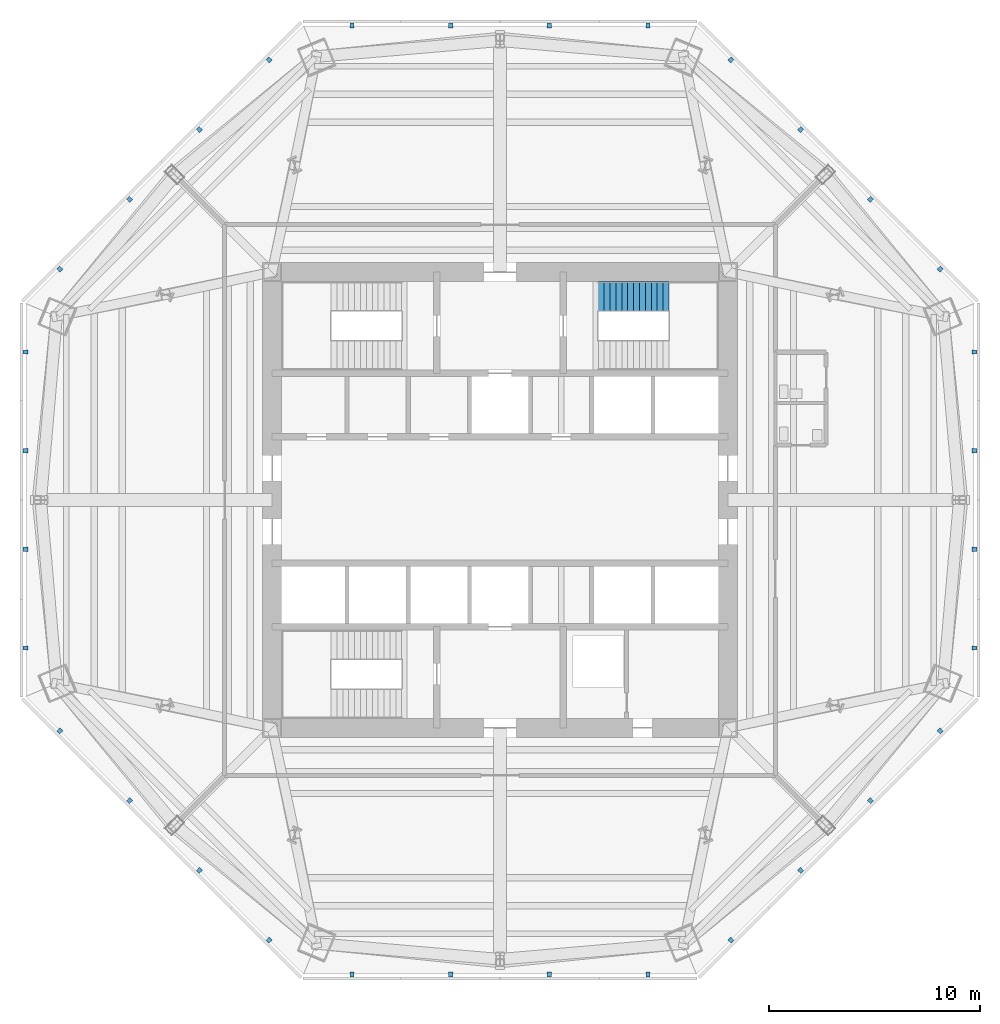
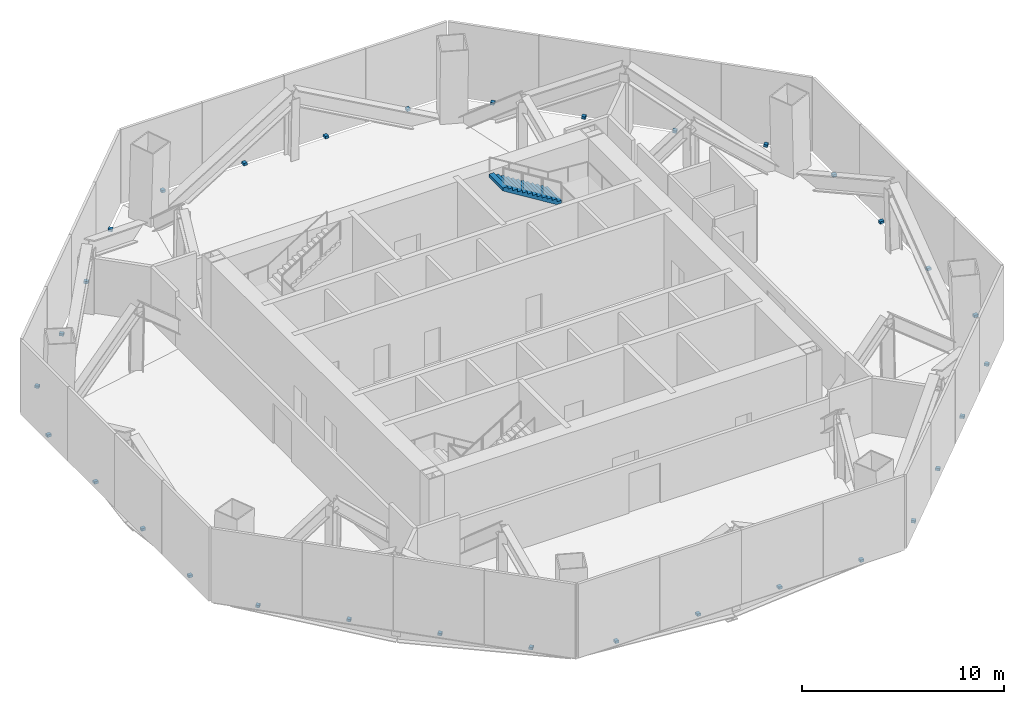
# One storey, part 6 of 9: 32 discrete accessories, 1 stair flight, 1 element without a shape of its own.
"""IFC4 building model written with IfcOpenShell, lengths in metres."""

from ifc_helpers import new_model, si_unit, direction, frame, origin, origin_2d, place, context, subcontext, project, spatial, polyline, rectangle, outline, extrude, source, transform, mapped, material, type_object, type_shapes, element, aggregate, save


model = new_model("IFC4")

# Units and contexts
model_context = context("Model", 3, precision=1e-05, world=origin(), true_north=direction((0.0, 1.0)))
body_context = subcontext(model_context, "Body", "Model", "MODEL_VIEW")
ifc_project = project(units=[si_unit("LENGTHUNIT", "METRE"), si_unit("AREAUNIT", "SQUARE_METRE"), si_unit("VOLUMEUNIT", "CUBIC_METRE"), si_unit("PLANEANGLEUNIT", "RADIAN"), si_unit("MASSUNIT", "GRAM", prefix="KILO")], contexts=[model_context])

# Site, building, storey
site_placement = place(None, origin())
site = spatial("IfcSite", under=ifc_project, at=site_placement, CompositionType="ELEMENT")
building_placement = place(site_placement, origin())
building = spatial("IfcBuilding", under=site, at=building_placement, Name="Mashrafa Tower", CompositionType="ELEMENT")
storey_placement = place(building_placement, frame((0.0, 0.0, 189.0)))
storey = spatial("IfcBuildingStorey", under=building, at=storey_placement, Name="L43", CompositionType="ELEMENT", Elevation=189.0)

# Stair, stair flight
ifc_material_1 = material(Name="Exit stair 1400")
stair_type = type_object("IfcStairType", Name="Exit stair 1400", PredefinedType="HALF_TURN_STAIR", material=ifc_material_1)
stair_placement = place(storey_placement, origin())
stair = element("IfcStair", 1, at=stair_placement, inside=storey, type_object=stair_type, Name="Stair S2 L43", PredefinedType="HALF_TURN_STAIR")
ifc_material_2 = material(Name="Concrete C32/40", Category="concrete")
stair_flight_type = type_object("IfcStairFlightType", Name="Stair flight 1400", PredefinedType="STRAIGHT", material=ifc_material_2)
stair_flight_placement = place(storey_placement, frame((8.010009765625, 9.64990234375, 2.25), z_axis=(0.0, 0.0, 1.0), x_axis=(-1.0, 0.0, 0.0)))
stair_flight = element("IfcStairFlight", 2, at=stair_flight_placement, type_object=stair_flight_type, Name="S2 flight 2", NumberOfRisers=13, NumberOfTreads=12, PredefinedType="STRAIGHT", RiserHeight=0.173076923, TreadLength=0.28, context=body_context, shape_type="SweptSolid", body=[
    extrude(outline(polyline([(0.0, 0.0), (0.0, 0.173095703125), (0.280029296875, 0.173095703125), (0.280029296875, 0.34619140625), (0.56005859375, 0.34619140625), (0.56005859375, 0.519287109375), (0.840087890625, 0.519287109375), (0.840087890625, 0.6923828125), (1.1201171875, 0.6923828125), (1.1201171875, 0.865478515625), (1.39990234375, 0.865478515625), (1.39990234375, 1.03857421875), (1.679931640625, 1.03857421875), (1.679931640625, 1.21142578125), (1.9599609375, 1.21142578125), (1.9599609375, 1.384521484375), (2.239990234375, 1.384521484375), (2.239990234375, 1.5576171875), (2.52001953125, 1.5576171875), (2.52001953125, 1.730712890625), (2.800048828125, 1.730712890625), (2.800048828125, 1.90380859375), (3.080078125, 1.90380859375), (3.080078125, 2.076904296875), (3.360107421875, 2.076904296875), (3.360107421875, 2.25), (3.360107421875, 1.900634765625), (0.28515625, 0.0), (0.0, 0.0)])), frame((0.0, 0.699951171875, 0.0), z_axis=(0.0, -1.0, 0.0), x_axis=(1.0, 0.0, 0.0)), (0.0, 0.0, 1.0), 1.39990234375),
])
aggregate(stair, [stair_flight])

# Discrete accessories
ifc_material_3 = material(Name="Galvanised steel louvre bracket", Category="steel")
discrete_accessory_type = type_object("IfcDiscreteAccessoryType", Name="Louvre support bracket 200 x 150", PredefinedType="BRACKET", material=ifc_material_3)
shared_shape = source(origin(), body_context, "Body", "SweptSolid", [
    extrude(rectangle(XDim=0.199951171875, YDim=0.22509765625, at=origin_2d()), origin(), (0.0, 0.0, 1.0), 0.14990234375),
])
type_shapes(discrete_accessory_type, [shared_shape])
for number, where, z_axis, x_axis, name in (
    (3, (22.480712890625, -7.01123046875, 0.0), (0.0, 0.0, 1.0), (0.0, 1.0, 0.0), "Louvre support bracket L43 east 1"),
    (4, (22.480712890625, -2.337158203125, 0.0), (0.0, 0.0, 1.0), (0.0, 1.0, 0.0), "Louvre support bracket L43 east 2"),
    (5, (22.480712890625, 2.337158203125, 0.0), (0.0, 0.0, 1.0), (0.0, 1.0, 0.0), "Louvre support bracket L43 east 3"),
    (6, (22.480712890625, 7.01123046875, 0.0), (0.0, 0.0, 1.0), (0.0, 1.0, 0.0), "Louvre support bracket L43 east 4"),
    (7, (20.85400390625, 10.9384765625, 0.0), (0.0, 0.0, 1.0), (-0.707106781187, 0.707106781187, 0.0), "Louvre support bracket L43 north-east 1"),
    (8, (17.548828125, 14.24365234375, 0.0), (0.0, 0.0, 1.0), (-0.707106781187, 0.707106781187, 0.0), "Louvre support bracket L43 north-east 2"),
    (9, (14.24365234375, 17.548828125, 0.0), (0.0, 0.0, 1.0), (-0.707106781187, 0.707106781187, 0.0), "Louvre support bracket L43 north-east 3"),
    (10, (10.9384765625, 20.85400390625, 0.0), (0.0, 0.0, 1.0), (-0.707106781187, 0.707106781187, 0.0), "Louvre support bracket L43 north-east 4"),
    (11, (7.01123046875, 22.480712890625, 0.0), (0.0, 0.0, 1.0), (-1.0, 0.0, 0.0), "Louvre support bracket L43 north 1"),
    (12, (2.337158203125, 22.480712890625, 0.0), (0.0, 0.0, 1.0), (-1.0, 0.0, 0.0), "Louvre support bracket L43 north 2"),
    (13, (-2.337158203125, 22.480712890625, 0.0), (0.0, 0.0, 1.0), (-1.0, 0.0, 0.0), "Louvre support bracket L43 north 3"),
    (14, (-7.01123046875, 22.480712890625, 0.0), (0.0, 0.0, 1.0), (-1.0, 0.0, 0.0), "Louvre support bracket L43 north 4"),
    (15, (-10.9384765625, 20.85400390625, 0.0), (0.0, 0.0, 1.0), (-0.707106781187, -0.707106781187, 0.0), "Louvre support bracket L43 north-west 1"),
    (16, (-14.24365234375, 17.548828125, 0.0), (0.0, 0.0, 1.0), (-0.707106781187, -0.707106781187, 0.0), "Louvre support bracket L43 north-west 2"),
    (17, (-17.548828125, 14.24365234375, 0.0), (0.0, 0.0, 1.0), (-0.707106781187, -0.707106781187, 0.0), "Louvre support bracket L43 north-west 3"),
    (18, (-20.85400390625, 10.9384765625, 0.0), (0.0, 0.0, 1.0), (-0.707106781187, -0.707106781187, 0.0), "Louvre support bracket L43 north-west 4"),
    (19, (-22.480712890625, 7.01123046875, 0.0), (0.0, 0.0, 1.0), (0.0, -1.0, 0.0), "Louvre support bracket L43 west 1"),
    (20, (-22.480712890625, 2.337158203125, 0.0), (0.0, 0.0, 1.0), (0.0, -1.0, 0.0), "Louvre support bracket L43 west 2"),
    (21, (-22.480712890625, -2.337158203125, 0.0), (0.0, 0.0, 1.0), (0.0, -1.0, 0.0), "Louvre support bracket L43 west 3"),
    (22, (-22.480712890625, -7.01123046875, 0.0), (0.0, 0.0, 1.0), (0.0, -1.0, 0.0), "Louvre support bracket L43 west 4"),
    (23, (-20.85400390625, -10.9384765625, 0.0), (0.0, 0.0, 1.0), (0.707106781187, -0.707106781187, 0.0), "Louvre support bracket L43 south-west 1"),
    (24, (-17.548828125, -14.24365234375, 0.0), (0.0, 0.0, 1.0), (0.707106781187, -0.707106781187, 0.0), "Louvre support bracket L43 south-west 2"),
    (25, (-14.24365234375, -17.548828125, 0.0), (0.0, 0.0, 1.0), (0.707106781187, -0.707106781187, 0.0), "Louvre support bracket L43 south-west 3"),
    (26, (-10.9384765625, -20.85400390625, 0.0), (0.0, 0.0, 1.0), (0.707106781187, -0.707106781187, 0.0), "Louvre support bracket L43 south-west 4"),
    (27, (-7.01123046875, -22.480712890625, 0.0), (0.0, 0.0, 1.0), (1.0, 0.0, 0.0), "Louvre support bracket L43 south 1"),
    (28, (-2.337158203125, -22.480712890625, 0.0), (0.0, 0.0, 1.0), (1.0, 0.0, 0.0), "Louvre support bracket L43 south 2"),
    (29, (2.337158203125, -22.480712890625, 0.0), (0.0, 0.0, 1.0), (1.0, 0.0, 0.0), "Louvre support bracket L43 south 3"),
    (30, (7.01123046875, -22.480712890625, 0.0), (0.0, 0.0, 1.0), (1.0, 0.0, 0.0), "Louvre support bracket L43 south 4"),
    (31, (10.9384765625, -20.85400390625, 0.0), (0.0, 0.0, 1.0), (0.707106781187, 0.707106781187, 0.0), "Louvre support bracket L43 south-east 1"),
    (32, (14.24365234375, -17.548828125, 0.0), (0.0, 0.0, 1.0), (0.707106781187, 0.707106781187, 0.0), "Louvre support bracket L43 south-east 2"),
    (33, (17.548828125, -14.24365234375, 0.0), (0.0, 0.0, 1.0), (0.707106781187, 0.707106781187, 0.0), "Louvre support bracket L43 south-east 3"),
    (34, (20.85400390625, -10.9384765625, 0.0), (0.0, 0.0, 1.0), (0.707106781187, 0.707106781187, 0.0), "Louvre support bracket L43 south-east 4"),
):
    element("IfcDiscreteAccessory", number, at=place(storey_placement, frame(where, z_axis=z_axis, x_axis=x_axis)), inside=storey, type_object=discrete_accessory_type, Name=name, PredefinedType="BRACKET", context=body_context, shape_type="MappedRepresentation", body=[
        mapped(shared_shape, transform((0.0, 0.0, 0.0))),
    ])

save(model, "model.ifc")
